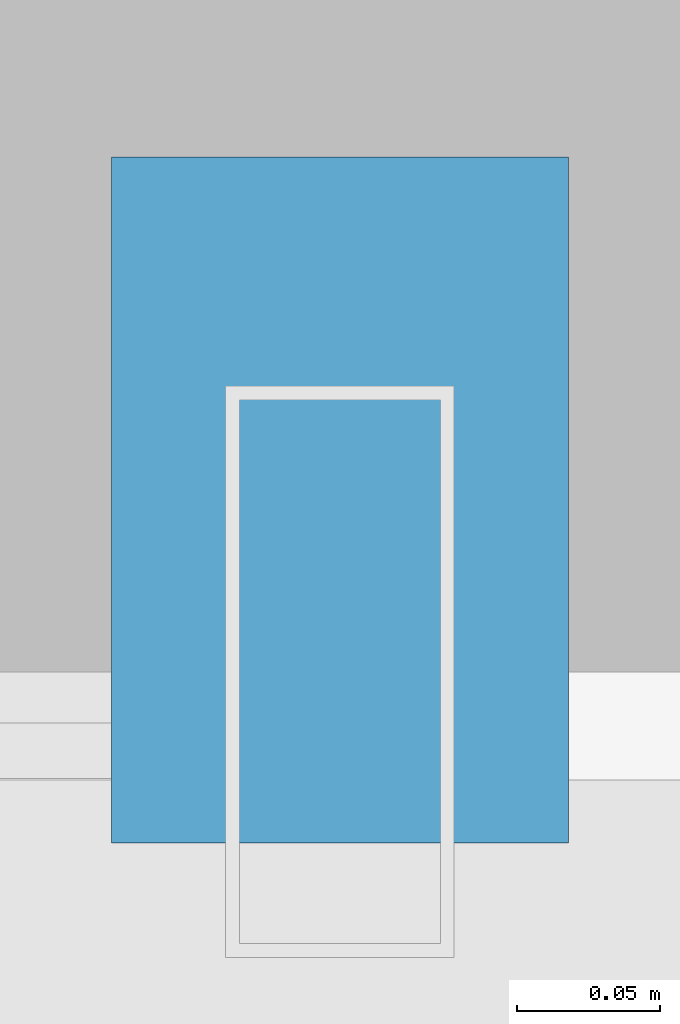
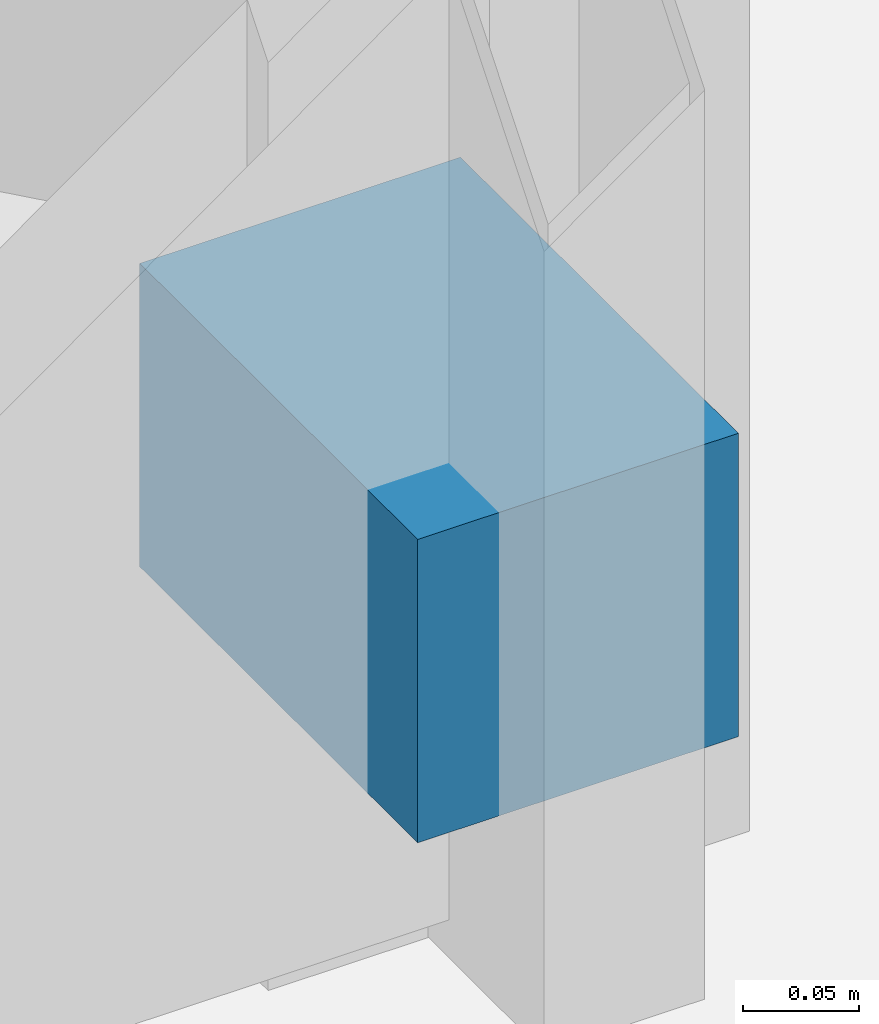
# One storey, part 36 of 39: 1 discrete accessory.
"""IFC4 building model written with IfcOpenShell, lengths in metres."""

from ifc_helpers import new_model, si_unit, direction, frame, origin, origin_2d, place, context, subcontext, project, spatial, rectangle, extrude, material, type_object, element, save


model = new_model("IFC4")

# Units and contexts
model_context = context("Model", 3, precision=1e-05, world=origin(), true_north=direction((0.0, 1.0)))
body_context = subcontext(model_context, "Body", "Model", "MODEL_VIEW")
ifc_project = project(units=[si_unit("LENGTHUNIT", "METRE"), si_unit("AREAUNIT", "SQUARE_METRE"), si_unit("VOLUMEUNIT", "CUBIC_METRE"), si_unit("PLANEANGLEUNIT", "RADIAN"), si_unit("MASSUNIT", "GRAM", prefix="KILO")], contexts=[model_context])

# Site, building, storey
site_placement = place(None, origin())
site = spatial("IfcSite", under=ifc_project, at=site_placement, CompositionType="ELEMENT")
building_placement = place(site_placement, origin())
building = spatial("IfcBuilding", under=site, at=building_placement, Name="Drelvath Grand Hotel", CompositionType="ELEMENT")
storey_placement = place(building_placement, frame((0.0, 0.0, 36.699951171875)))
storey = spatial("IfcBuildingStorey", under=building, at=storey_placement, Name="L07", CompositionType="ELEMENT", Elevation=36.699951171875)

# Discrete accessory
ifc_material = material(Name="Stainless Steel Grade 316", Category="steel")
discrete_accessory_type = type_object("IfcDiscreteAccessoryType", Name="Curtain Wall Fin Mounting Bracket Cleat", PredefinedType="BRACKET", material=ifc_material)
discrete_accessory_placement = place(storey_placement, frame((5.39990234375, 53.260009765625, 0.10009765625), z_axis=(0.0, 0.0, 1.0), x_axis=(1.0, 0.0, 0.0)))
element("IfcDiscreteAccessory", 1, at=discrete_accessory_placement, inside=storey, type_object=discrete_accessory_type, Name="L07 Fin Mounting Bracket CW02-L07-NM2-1", PredefinedType="BRACKET", context=body_context, shape_type="SweptSolid", body=[
    extrude(rectangle(XDim=0.159912109375, YDim=0.239990234375, at=origin_2d()), origin(), (0.0, 0.0, 1.0), 0.159912109375),
])

save(model, "model.ifc")
